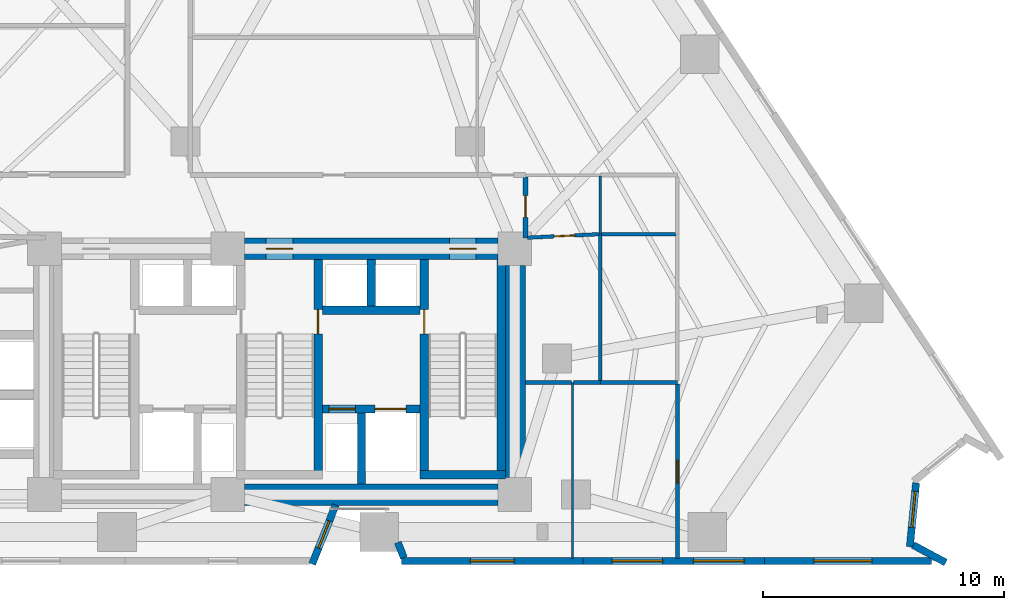
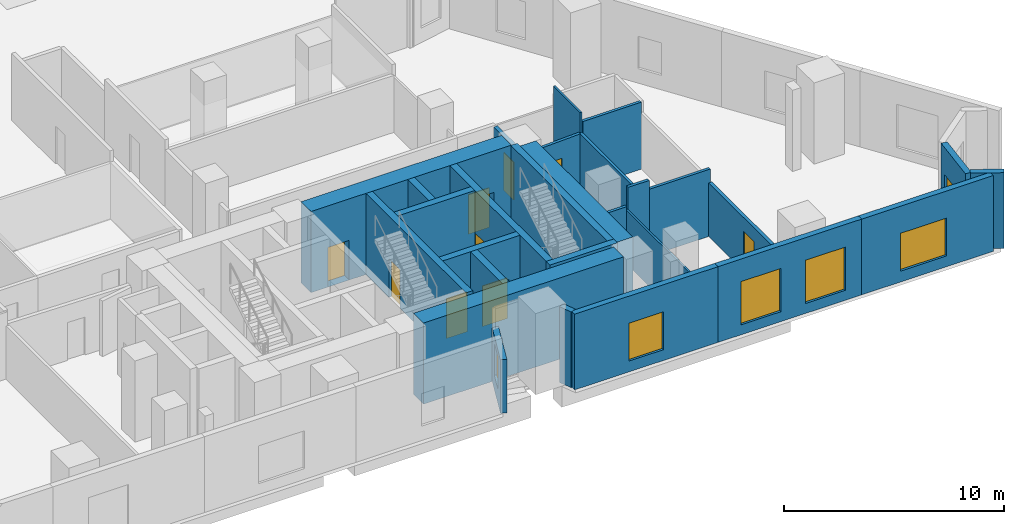
# One storey, part 8 of 12: 28 walls, 9 doors, 6 windows, 15 openings.
"""IFC4 building model written with IfcOpenShell, lengths in metres."""

from ifc_helpers import new_model, si_unit, direction, frame, frame_2d, origin, place, context, subcontext, project, spatial, rectangle, extrude, material, layer, layer_set, type_object, element, fill, save


model = new_model("IFC4")

# Units and contexts
model_context = context("Model", 3, precision=1e-05, world=origin(), true_north=direction((0.0, 1.0)))
body_context = subcontext(model_context, "Body", "Model", "MODEL_VIEW")
ifc_project = project(units=[si_unit("LENGTHUNIT", "METRE"), si_unit("AREAUNIT", "SQUARE_METRE"), si_unit("VOLUMEUNIT", "CUBIC_METRE"), si_unit("PLANEANGLEUNIT", "RADIAN"), si_unit("MASSUNIT", "GRAM", prefix="KILO")], contexts=[model_context])

# Site, building, storey
site_placement = place(None, origin())
site = spatial("IfcSite", under=ifc_project, at=site_placement, CompositionType="ELEMENT")
building_placement = place(site_placement, origin())
building = spatial("IfcBuilding", under=site, at=building_placement, Name="Almagre Mirador Tower", CompositionType="ELEMENT")
storey_placement = place(building_placement, frame((0.0, 0.0, 17.39990234375)))
storey = spatial("IfcBuildingStorey", under=building, at=storey_placement, Name="L03", CompositionType="ELEMENT", Elevation=17.39990234375)

# Wall, opening, window
ifc_material_1 = material(Name="Precast concrete C50/60", Category="concrete")
ifc_layer_1 = layer(ifc_material_1, 0.300048828125)
ifc_layer_set_1 = layer_set([ifc_layer_1], Name="Precast concrete C50/60")
wall_type_1 = type_object("IfcWallType", Name="WAL-EXT-300", PredefinedType="SOLIDWALL", material=ifc_layer_set_1)
wall_1_placement = place(storey_placement, frame((63.695068359375, 5.03369140625, 0.0), z_axis=(0.0, 0.0, 1.0), x_axis=(-0.096121744624, -0.995369584732, 0.0)))
wall_1 = element("IfcWall", 1, at=wall_1_placement, inside=storey, type_object=wall_type_1, Name="L03 expressed almagre precast frame wall 19", PredefinedType="SOLIDWALL", context=body_context, shape_type="SweptSolid", body=[
    extrude(rectangle(XDim=2.6591796875, YDim=0.300048828125, at=frame_2d((1.32958984375, 0.0))), origin(), (0.0, 0.0, 1.0), 4.2001953125),
])
opening_1_placement = place(wall_1_placement, frame((0.35498046875, 0.0, 0.60009765625)))
opening_1 = element("IfcOpeningElement", 2, at=opening_1_placement, cuts=wall_1, Name="Opening WN-03", PredefinedType="OPENING", context=body_context, shape_type="SweptSolid", body=[
    extrude(rectangle(XDim=1.5, YDim=2.10009765625, at=frame_2d((0.75, 1.050048828125))), frame((0.0, 0.159902, 0.0), z_axis=(0.0, -1.0, 0.0), x_axis=(1.0, 0.0, 0.0)), (0.0, 0.0, 1.0), 0.320049),
])
ifc_material_2 = material(Name="Dark solar-control laminated hurricane glass", Category="glass")
window_type_1 = type_object("IfcWindowType", Name="WIN-1500X2100", PartitioningType="DOUBLE_PANEL_VERTICAL", PredefinedType="WINDOW", material=ifc_material_2)
window_1_placement = place(opening_1_placement, origin())
window_1 = element("IfcWindow", 3, at=window_1_placement, inside=storey, type_object=window_type_1, Name="L03 recessed hurricane window L03-TRT-5", OverallHeight=2.10009765625, OverallWidth=1.5, PartitioningType="SINGLE_PANEL", PredefinedType="WINDOW", context=body_context, shape_type="SweptSolid", body=[
    extrude(rectangle(XDim=1.5, YDim=2.10009765625, at=frame_2d((0.75, 1.050048828125))), frame((0.0, 0.030029296875, 0.0), z_axis=(0.0, -1.0, 0.0), x_axis=(1.0, 0.0, 0.0)), (0.0, 0.0, 1.0), 0.06005859375),
])
fill(opening_1, window_1)

# Wall
wall_2_placement = place(storey_placement, frame((63.576416015625, 2.459716796875, 0.0), z_axis=(0.0, 0.0, 1.0), x_axis=(0.88021477324, -0.474575550329, 0.0)))
element("IfcWall", 4, at=wall_2_placement, inside=storey, type_object=wall_type_1, Name="L03 expressed almagre precast frame wall 20", PredefinedType="SOLIDWALL", context=body_context, shape_type="SweptSolid", body=[
    extrude(rectangle(XDim=1.530029296875, YDim=0.300048828125, at=frame_2d((0.76513671875, 0.0))), origin(), (0.0, 0.0, 1.0), 4.2001953125),
])

# Wall, opening, window
wall_3_placement = place(storey_placement, frame((64.324951171875, 1.800048828125, 0.0), z_axis=(0.0, 0.0, 1.0), x_axis=(-1.0, 0.0, 0.0)))
wall_3 = element("IfcWall", 5, at=wall_3_placement, inside=storey, type_object=wall_type_1, Name="L03 expressed almagre precast frame wall 21", PredefinedType="SOLIDWALL", context=body_context, shape_type="SweptSolid", body=[
    extrude(rectangle(XDim=6.908935546875, YDim=0.300048828125, at=frame_2d((3.45458984375, 0.0))), origin(), (0.0, 0.0, 1.0), 4.2001953125),
])
opening_2_placement = place(wall_3_placement, frame((2.4599609375, 0.0, 0.60009765625)))
opening_2 = element("IfcOpeningElement", 6, at=opening_2_placement, cuts=wall_3, Name="Opening WN-02", PredefinedType="OPENING", context=body_context, shape_type="SweptSolid", body=[
    extrude(rectangle(XDim=2.39990234375, YDim=2.10009765625, at=frame_2d((1.199951171875, 1.050048828125))), frame((0.0, 0.159902, 0.0), z_axis=(0.0, -1.0, 0.0), x_axis=(1.0, 0.0, 0.0)), (0.0, 0.0, 1.0), 0.320049),
])
ifc_material_3 = material(Name="Dark solar-control laminated hurricane glass", Category="glass")
window_type_2 = type_object("IfcWindowType", Name="WIN-2400X2100", PartitioningType="TRIPLE_PANEL_VERTICAL", PredefinedType="WINDOW", material=ifc_material_3)
window_2_placement = place(opening_2_placement, origin())
window_2 = element("IfcWindow", 7, at=window_2_placement, inside=storey, type_object=window_type_2, Name="L03 recessed hurricane window L03-TRT-5", OverallHeight=2.10009765625, OverallWidth=2.39990234375, PartitioningType="SINGLE_PANEL", PredefinedType="WINDOW", context=body_context, shape_type="SweptSolid", body=[
    extrude(rectangle(XDim=2.39990234375, YDim=2.10009765625, at=frame_2d((1.199951171875, 1.050048828125))), frame((0.0, 0.030029296875, 0.0), z_axis=(0.0, -1.0, 0.0), x_axis=(1.0, 0.0, 0.0)), (0.0, 0.0, 1.0), 0.06005859375),
])
fill(opening_2, window_2)

# Wall, openings, windows
wall_4_placement = place(storey_placement, frame((57.416015625, 1.800048828125, 0.0), z_axis=(0.0, 0.0, 1.0), x_axis=(-1.0, 0.0, 0.0)))
wall_4 = element("IfcWall", 8, at=wall_4_placement, inside=storey, type_object=wall_type_1, Name="L03 expressed almagre precast frame wall 22", PredefinedType="SOLIDWALL", context=body_context, shape_type="SweptSolid", body=[
    extrude(rectangle(XDim=7.52392578125, YDim=0.300048828125, at=frame_2d((3.761962890625, 0.0))), origin(), (0.0, 0.0, 1.0), 4.2001953125),
])
opening_3_placement = place(wall_4_placement, frame((4.22509765625, 0.0, 0.550048828125)))
opening_3 = element("IfcOpeningElement", 9, at=opening_3_placement, cuts=wall_4, Name="Opening WN-05", PredefinedType="OPENING", context=body_context, shape_type="SweptSolid", body=[
    extrude(rectangle(XDim=2.10009765625, YDim=2.39990234375, at=frame_2d((1.050048828125, 1.199951171875))), frame((0.0, 0.159902, 0.0), z_axis=(0.0, -1.0, 0.0), x_axis=(1.0, 0.0, 0.0)), (0.0, 0.0, 1.0), 0.320049),
])
opening_4_placement = place(wall_4_placement, frame((0.85009765625, 0.0, 0.550048828125)))
opening_4 = element("IfcOpeningElement", 10, at=opening_4_placement, cuts=wall_4, Name="Opening WN-05", PredefinedType="OPENING", context=body_context, shape_type="SweptSolid", body=[
    extrude(rectangle(XDim=2.10009765625, YDim=2.39990234375, at=frame_2d((1.050048828125, 1.199951171875))), frame((0.0, 0.159902, 0.0), z_axis=(0.0, -1.0, 0.0), x_axis=(1.0, 0.0, 0.0)), (0.0, 0.0, 1.0), 0.320049),
])
ifc_material_4 = material(Name="Dark solar-control laminated hurricane glass", Category="glass")
window_type_3 = type_object("IfcWindowType", Name="WIN-2100X2400", PartitioningType="DOUBLE_PANEL_VERTICAL", PredefinedType="WINDOW", material=ifc_material_4)
window_3_placement = place(opening_3_placement, origin())
window_3 = element("IfcWindow", 11, at=window_3_placement, inside=storey, type_object=window_type_3, Name="L03 recessed hurricane window L03-HYD-2", OverallHeight=2.39990234375, OverallWidth=2.10009765625, PartitioningType="SINGLE_PANEL", PredefinedType="WINDOW", context=body_context, shape_type="SweptSolid", body=[
    extrude(rectangle(XDim=2.10009765625, YDim=2.39990234375, at=frame_2d((1.050048828125, 1.199951171875))), frame((0.0, 0.030029296875, 0.0), z_axis=(0.0, -1.0, 0.0), x_axis=(1.0, 0.0, 0.0)), (0.0, 0.0, 1.0), 0.06005859375),
])
fill(opening_3, window_3)
window_4_placement = place(opening_4_placement, origin())
window_4 = element("IfcWindow", 12, at=window_4_placement, inside=storey, type_object=window_type_3, Name="L03 recessed hurricane window L03-TRT-5", OverallHeight=2.39990234375, OverallWidth=2.10009765625, PartitioningType="SINGLE_PANEL", PredefinedType="WINDOW", context=body_context, shape_type="SweptSolid", body=[
    extrude(rectangle(XDim=2.10009765625, YDim=2.39990234375, at=frame_2d((1.050048828125, 1.199951171875))), frame((0.0, 0.030029296875, 0.0), z_axis=(0.0, -1.0, 0.0), x_axis=(1.0, 0.0, 0.0)), (0.0, 0.0, 1.0), 0.06005859375),
])
fill(opening_4, window_4)

# Wall, opening, window
wall_5_placement = place(storey_placement, frame((49.89208984375, 1.800048828125, 0.0), z_axis=(0.0, 0.0, 1.0), x_axis=(-1.0, 0.0, 0.0)))
wall_5 = element("IfcWall", 13, at=wall_5_placement, inside=storey, type_object=wall_type_1, Name="L03 expressed almagre precast frame wall 23", PredefinedType="SOLIDWALL", context=body_context, shape_type="SweptSolid", body=[
    extrude(rectangle(XDim=7.524169921875, YDim=0.300048828125, at=frame_2d((3.76220703125, 0.0))), origin(), (0.0, 0.0, 1.0), 4.2001953125),
])
opening_5_placement = place(wall_5_placement, frame((2.875, 0.0, 0.60009765625)))
opening_5 = element("IfcOpeningElement", 14, at=opening_5_placement, cuts=wall_5, Name="Opening WN-01", PredefinedType="OPENING", context=body_context, shape_type="SweptSolid", body=[
    extrude(rectangle(XDim=1.800048828125, YDim=2.10009765625, at=frame_2d((0.89990234375, 1.050048828125))), frame((0.0, 0.159902, 0.0), z_axis=(0.0, -1.0, 0.0), x_axis=(1.0, 0.0, 0.0)), (0.0, 0.0, 1.0), 0.320049),
])
ifc_material_5 = material(Name="Dark solar-control laminated hurricane glass", Category="glass")
window_type_4 = type_object("IfcWindowType", Name="WIN-1800X2100", PartitioningType="DOUBLE_PANEL_VERTICAL", PredefinedType="WINDOW", material=ifc_material_5)
window_5_placement = place(opening_5_placement, origin())
window_5 = element("IfcWindow", 15, at=window_5_placement, inside=storey, type_object=window_type_4, Name="L03 recessed hurricane window L03-POOL-1", OverallHeight=2.10009765625, OverallWidth=1.800048828125, PartitioningType="SINGLE_PANEL", PredefinedType="WINDOW", context=body_context, shape_type="SweptSolid", body=[
    extrude(rectangle(XDim=1.800048828125, YDim=2.10009765625, at=frame_2d((0.89990234375, 1.050048828125))), frame((0.0, 0.030029296875, 0.0), z_axis=(0.0, -1.0, 0.0), x_axis=(1.0, 0.0, 0.0)), (0.0, 0.0, 1.0), 0.06005859375),
])
fill(opening_5, window_5)

# Wall
wall_6_placement = place(storey_placement, frame((42.456298828125, 1.93017578125, 0.0), z_axis=(0.0, 0.0, 1.0), x_axis=(-0.369677329341, 0.929160197259, 0.0)))
element("IfcWall", 16, at=wall_6_placement, inside=storey, type_object=wall_type_1, Name="L03 expressed almagre precast frame wall 24", PredefinedType="SOLIDWALL", context=body_context, shape_type="SweptSolid", body=[
    extrude(rectangle(XDim=0.688232421875, YDim=0.300048828125, at=frame_2d((0.34423828125, 0.0))), origin(), (0.0, 0.0, 1.0), 4.2001953125),
])

# Wall, opening, window
wall_7_placement = place(storey_placement, frame((39.63232421875, 4.124755859375, 0.0), z_axis=(0.0, 0.0, 1.0), x_axis=(-0.369477840539, -0.929239541426, 0.0)))
wall_7 = element("IfcWall", 17, at=wall_7_placement, inside=storey, type_object=wall_type_1, Name="L03 expressed almagre precast frame wall 25", PredefinedType="SOLIDWALL", context=body_context, shape_type="SweptSolid", body=[
    extrude(rectangle(XDim=2.641845703125, YDim=0.300048828125, at=frame_2d((1.32080078125, 0.0))), origin(), (0.0, 0.0, 1.0), 2.97509765625),
])
opening_6_placement = place(wall_7_placement, frame((0.722900390625, 0.0, 0.800048828125)))
opening_6 = element("IfcOpeningElement", 18, at=opening_6_placement, cuts=wall_7, Name="Opening WN-04", PredefinedType="OPENING", context=body_context, shape_type="SweptSolid", body=[
    extrude(rectangle(XDim=1.199951171875, YDim=1.800048828125, at=frame_2d((0.60009765625, 0.89990234375))), frame((0.0, 0.159902, 0.0), z_axis=(0.0, -1.0, 0.0), x_axis=(1.0, 0.0, 0.0)), (0.0, 0.0, 1.0), 0.320049),
])
ifc_material_6 = material(Name="Dark solar-control laminated hurricane glass", Category="glass")
window_type_5 = type_object("IfcWindowType", Name="WIN-1200X1800", PartitioningType="SINGLE_PANEL", PredefinedType="WINDOW", material=ifc_material_6)
window_6_placement = place(opening_6_placement, origin())
window_6 = element("IfcWindow", 19, at=window_6_placement, inside=storey, type_object=window_type_5, Name="L03 recessed hurricane window L03-PIL-3", OverallHeight=1.800048828125, OverallWidth=1.199951171875, PartitioningType="SINGLE_PANEL", PredefinedType="WINDOW", context=body_context, shape_type="SweptSolid", body=[
    extrude(rectangle(XDim=1.199951171875, YDim=1.800048828125, at=frame_2d((0.60009765625, 0.89990234375))), frame((0.0, 0.030029296875, 0.0), z_axis=(0.0, -1.0, 0.0), x_axis=(1.0, 0.0, 0.0)), (0.0, 0.0, 1.0), 0.06005859375),
])
fill(opening_6, window_6)

# Walls
ifc_material_7 = material(Name="Gypsum acoustic stud partition", Category="other")
ifc_layer_2 = layer(ifc_material_7, 0.10009765625)
ifc_layer_set_2 = layer_set([ifc_layer_2], Name="Gypsum acoustic stud partition")
wall_type_2 = type_object("IfcWallType", Name="WAL-PRT-100-CLS", PredefinedType="PARTITIONING", material=ifc_layer_set_2)
wall_8_placement = place(storey_placement, frame((49.449951171875, 1.89990234375, 0.0), z_axis=(0.0, 0.0, 1.0), x_axis=(0.0, 1.0, 0.0)))
element("IfcWall", 20, at=wall_8_placement, inside=storey, type_object=wall_type_2, Name="L03 interior partition 014", PredefinedType="PARTITIONING", context=body_context, shape_type="SweptSolid", body=[
    extrude(rectangle(XDim=7.300048828125, YDim=0.10009765625, at=frame_2d((3.64990234375, 0.0))), origin(), (0.0, 0.0, 1.0), 2.97021484375),
])
wall_9_placement = place(storey_placement, frame((50.60009765625, 15.35009765625, 0.0), z_axis=(0.0, 0.0, 1.0), x_axis=(0.0, 1.0, 0.0)))
element("IfcWall", 21, at=wall_9_placement, inside=storey, type_object=wall_type_2, Name="L03 interior partition 035", PredefinedType="PARTITIONING", context=body_context, shape_type="SweptSolid", body=[
    extrude(rectangle(XDim=2.414794921875, YDim=0.10009765625, at=frame_2d((1.20751953125, 0.0))), origin(), (0.0, 0.0, 1.0), 4.2001953125),
])
ifc_material_8 = material(Name="Gypsum acoustic stud partition", Category="other")
ifc_layer_3 = layer(ifc_material_8, 0.14990234375)
ifc_layer_set_3 = layer_set([ifc_layer_3], Name="Gypsum acoustic stud partition")
wall_type_3 = type_object("IfcWallType", Name="WAL-PRT-150-STD", PredefinedType="PARTITIONING", material=ifc_layer_set_3)
wall_10_placement = place(storey_placement, frame((49.4150390625, 9.199951171875, 0.0), z_axis=(0.0, 0.0, 1.0), x_axis=(-1.0, 0.0, 0.0)))
element("IfcWall", 22, at=wall_10_placement, inside=storey, type_object=wall_type_3, Name="L03 interior partition 015", PredefinedType="PARTITIONING", context=body_context, shape_type="SweptSolid", body=[
    extrude(rectangle(XDim=1.9150390625, YDim=0.14990234375, at=frame_2d((0.95751953125, 0.0))), origin(), (0.0, 0.0, 1.0), 3.1591796875),
])
wall_11_placement = place(storey_placement, frame((50.60009765625, 9.199951171875, 0.0), z_axis=(0.0, 0.0, 1.0), x_axis=(-1.0, 0.0, 0.0)))
element("IfcWall", 23, at=wall_11_placement, inside=storey, type_object=wall_type_3, Name="L03 interior partition 016", PredefinedType="PARTITIONING", context=body_context, shape_type="SweptSolid", body=[
    extrude(rectangle(XDim=1.114990234375, YDim=0.14990234375, at=frame_2d((0.5576171875, 0.0))), origin(), (0.0, 0.0, 1.0), 4.2001953125),
])
wall_12_placement = place(storey_placement, frame((53.800048828125, 9.199951171875, 0.0), z_axis=(0.0, 0.0, 1.0), x_axis=(-1.0, 0.0, 0.0)))
element("IfcWall", 24, at=wall_12_placement, inside=storey, type_object=wall_type_3, Name="L03 interior partition 017", PredefinedType="PARTITIONING", context=body_context, shape_type="SweptSolid", body=[
    extrude(rectangle(XDim=3.199951171875, YDim=0.14990234375, at=frame_2d((1.60009765625, 0.0))), origin(), (0.0, 0.0, 1.0), 3.710205078125),
])
wall_13_placement = place(storey_placement, frame((50.60009765625, 9.260009765625, 0.0), z_axis=(0.0, 0.0, 1.0), x_axis=(0.0, 1.0, 0.0)))
element("IfcWall", 25, at=wall_13_placement, inside=storey, type_object=wall_type_3, Name="L03 interior partition 025", PredefinedType="PARTITIONING", context=body_context, shape_type="SweptSolid", body=[
    extrude(rectangle(XDim=6.090087890625, YDim=0.14990234375, at=frame_2d((3.044921875, 0.0))), origin(), (0.0, 0.0, 1.0), 3.078125),
])

# Wall, opening, door
wall_14_placement = place(storey_placement, frame((50.5400390625, 15.34716796875, 0.0), z_axis=(0.0, 0.0, 1.0), x_axis=(-0.998830110694, -0.048357108796, 0.0)))
wall_14 = element("IfcWall", 26, at=wall_14_placement, inside=storey, type_object=wall_type_3, Name="L03 interior partition 026", PredefinedType="PARTITIONING", context=body_context, shape_type="SweptSolid", body=[
    extrude(rectangle(XDim=2.95849609375, YDim=0.14990234375, at=frame_2d((1.479248046875, 0.0))), origin(), (0.0, 0.0, 1.0), 3.078125),
])
opening_7_placement = place(wall_14_placement, frame((1.0087890625, 0.0, 0.0)))
opening_7 = element("IfcOpeningElement", 27, at=opening_7_placement, cuts=wall_14, Name="Opening UD-04", PredefinedType="OPENING", context=body_context, shape_type="SweptSolid", body=[
    extrude(rectangle(XDim=0.85009765625, YDim=2.10009765625, at=frame_2d((0.425048828125, 1.050048828125))), frame((0.0, 0.084951, 0.0), z_axis=(0.0, -1.0, 0.0), x_axis=(1.0, 0.0, 0.0)), (0.0, 0.0, 1.0), 0.169902),
])
ifc_material_9 = material(Name="Moisture-resistant oak timber", Category="wood")
door_type_1 = type_object("IfcDoorType", Name="DOR-UNR-850X2100", OperationType="NOTDEFINED", PredefinedType="DOOR", material=ifc_material_9)
door_1_placement = place(opening_7_placement, origin())
door_1 = element("IfcDoor", 28, at=door_1_placement, inside=storey, type_object=door_type_1, Name="DR-0132 L03 interior door L03-WC-A to L03-POOL-7", OperationType="SINGLE_SWING_RIGHT", OverallHeight=2.10009765625, OverallWidth=0.85009765625, PredefinedType="DOOR", context=body_context, shape_type="SweptSolid", body=[
    extrude(rectangle(XDim=0.85009765625, YDim=2.10009765625, at=frame_2d((0.425048828125, 1.050048828125))), frame((0.0, 0.02490234375, 0.0), z_axis=(0.0, -1.0, 0.0), x_axis=(1.0, 0.0, 0.0)), (0.0, 0.0, 1.0), 0.050048828125),
])
fill(opening_7, door_1)

# Wall
wall_15_placement = place(storey_placement, frame((53.739990234375, 15.35009765625, 0.0), z_axis=(0.0, 0.0, 1.0), x_axis=(-1.0, 0.0, 0.0)))
element("IfcWall", 29, at=wall_15_placement, inside=storey, type_object=wall_type_3, Name="L03 interior partition 028", PredefinedType="PARTITIONING", context=body_context, shape_type="SweptSolid", body=[
    extrude(rectangle(XDim=3.080078125, YDim=0.14990234375, at=frame_2d((1.5400390625, 0.0))), origin(), (0.0, 0.0, 1.0), 3.710205078125),
])

# Wall, opening, door
ifc_material_10 = material(Name="Gypsum acoustic stud partition", Category="other")
ifc_layer_4 = layer(ifc_material_10, 0.175048828125)
ifc_layer_set_4 = layer_set([ifc_layer_4], Name="Gypsum acoustic stud partition")
wall_type_4 = type_object("IfcWallType", Name="WAL-PRT-175-AC", PredefinedType="PARTITIONING", material=ifc_layer_set_4)
wall_16_placement = place(storey_placement, frame((53.800048828125, 1.89990234375, 0.0), z_axis=(0.0, 0.0, 1.0), x_axis=(0.0, 1.0, 0.0)))
wall_16 = element("IfcWall", 30, at=wall_16_placement, inside=storey, type_object=wall_type_4, Name="L03 interior partition 018", PredefinedType="PARTITIONING", context=body_context, shape_type="SweptSolid", body=[
    extrude(rectangle(XDim=7.239990234375, YDim=0.175048828125, at=frame_2d((3.6201171875, 0.0))), origin(), (0.0, 0.0, 1.0), 2.97021484375),
])
opening_8_placement = place(wall_16_placement, frame((3.125, 0.0, 0.0)))
opening_8 = element("IfcOpeningElement", 31, at=opening_8_placement, cuts=wall_16, Name="Opening UD-01", PredefinedType="OPENING", context=body_context, shape_type="SweptSolid", body=[
    extrude(rectangle(XDim=0.949951171875, YDim=2.199951171875, at=frame_2d((0.47509765625, 1.10009765625))), frame((0.0, 0.097402, 0.0), z_axis=(0.0, -1.0, 0.0), x_axis=(1.0, 0.0, 0.0)), (0.0, 0.0, 1.0), 0.195049),
])
ifc_material_11 = material(Name="Solid American walnut timber", Category="wood")
door_type_2 = type_object("IfcDoorType", Name="DOR-UNR-950X2200", OperationType="NOTDEFINED", PredefinedType="DOOR", material=ifc_material_11)
door_2_placement = place(opening_8_placement, origin())
door_2 = element("IfcDoor", 32, at=door_2_placement, inside=storey, type_object=door_type_2, Name="DR-0131 L03 interior door L03-HYD-2 to L03-TRT-5", OperationType="SINGLE_SWING_RIGHT", OverallHeight=2.199951171875, OverallWidth=0.949951171875, PredefinedType="DOOR", context=body_context, shape_type="SweptSolid", body=[
    extrude(rectangle(XDim=0.949951171875, YDim=2.199951171875, at=frame_2d((0.47509765625, 1.10009765625))), frame((0.0, 0.02490234375, 0.0), z_axis=(0.0, -1.0, 0.0), x_axis=(1.0, 0.0, 0.0)), (0.0, 0.0, 1.0), 0.050048828125),
])
fill(opening_8, door_2)

ifc_material_12 = material(Name="Gypsum acoustic stud partition", Category="other")
ifc_layer_5 = layer(ifc_material_12, 0.199951171875)
ifc_layer_set_5 = layer_set([ifc_layer_5], Name="Gypsum acoustic stud partition")
wall_type_5 = type_object("IfcWallType", Name="WAL-PRT-200-EI60", PredefinedType="PARTITIONING", material=ifc_layer_set_5)
wall_17_placement = place(storey_placement, frame((47.5, 15.199951171875, 0.0), z_axis=(0.0, 0.0, 1.0), x_axis=(0.0, 1.0, 0.0)))
wall_17 = element("IfcWall", 33, at=wall_17_placement, inside=storey, type_object=wall_type_5, Name="L03 interior partition 005", PredefinedType="PARTITIONING", context=body_context, shape_type="SweptSolid", body=[
    extrude(rectangle(XDim=2.51513671875, YDim=0.199951171875, at=frame_2d((1.257568359375, 0.0))), origin(), (0.0, 0.0, 1.0), 3.078125),
])
opening_9_placement = place(wall_17_placement, frame((0.85009765625, 0.0, 0.0)))
opening_9 = element("IfcOpeningElement", 34, at=opening_9_placement, cuts=wall_17, Name="Opening ID-03", PredefinedType="OPENING", context=body_context, shape_type="SweptSolid", body=[
    extrude(rectangle(XDim=0.89990234375, YDim=2.10009765625, at=frame_2d((0.449951171875, 1.050048828125))), frame((0.0, 0.110098, 0.0), z_axis=(0.0, -1.0, 0.0), x_axis=(1.0, 0.0, 0.0)), (0.0, 0.0, 1.0), 0.219951),
])
ifc_material_13 = material(Name="Fire-rated hollow steel", Category="steel")
door_type_3 = type_object("IfcDoorType", Name="DOR-FD60-900X2100", OperationType="NOTDEFINED", PredefinedType="DOOR", material=ifc_material_13)
door_3_placement = place(opening_9_placement, origin())
door_3 = element("IfcDoor", 35, at=door_3_placement, inside=storey, type_object=door_type_3, Name="DR-0128 L03 interior door L03-COR to L03-POOL-7", OperationType="SINGLE_SWING_LEFT", OverallHeight=2.10009765625, OverallWidth=0.89990234375, PredefinedType="DOOR", context=body_context, shape_type="SweptSolid", body=[
    extrude(rectangle(XDim=0.89990234375, YDim=2.10009765625, at=frame_2d((0.449951171875, 1.050048828125))), frame((0.0, 0.02490234375, 0.0), z_axis=(0.0, -1.0, 0.0), x_axis=(1.0, 0.0, 0.0)), (0.0, 0.0, 1.0), 0.050048828125),
])
fill(opening_9, door_3)

ifc_material_14 = material(Name="Concrete C60/75", Category="concrete")
ifc_layer_6 = layer(ifc_material_14, 0.35009765625)
ifc_layer_set_6 = layer_set([ifc_layer_6], Name="Concrete C60/75")
wall_type_6 = type_object("IfcWallType", Name="WAL-SHF-350", PredefinedType="SOLIDWALL", material=ifc_layer_set_6)
wall_18_placement = place(storey_placement, frame((38.89990234375, 5.199951171875, 0.0), z_axis=(0.0, 0.0, 1.0), x_axis=(0.0, 1.0, 0.0)))
wall_18 = element("IfcWall", 36, at=wall_18_placement, inside=storey, type_object=wall_type_6, Name="L03 shaft wall ST2-E", PredefinedType="SOLIDWALL", context=body_context, shape_type="SweptSolid", body=[
    extrude(rectangle(XDim=9.10009765625, YDim=0.35009765625, at=frame_2d((4.550048828125, 0.0))), origin(), (0.0, 0.0, 1.0), 4.5),
])
opening_10_placement = place(wall_18_placement, frame((6.02001953125, 0.0, 0.0)))
opening_10 = element("IfcOpeningElement", 37, at=opening_10_placement, cuts=wall_18, Name="Opening FD-01", PredefinedType="OPENING", context=body_context, shape_type="SweptSolid", body=[
    extrude(rectangle(XDim=1.0, YDim=2.14990234375, at=frame_2d((0.5, 1.074951171875))), frame((0.0, 0.185049, 0.0), z_axis=(0.0, -1.0, 0.0), x_axis=(1.0, 0.0, 0.0)), (0.0, 0.0, 1.0), 0.370098),
])
ifc_material_15 = material(Name="Fire-rated hollow steel", Category="steel")
door_type_4 = type_object("IfcDoorType", Name="DOR-FFL-1000X2150", OperationType="NOTDEFINED", PredefinedType="DOOR", material=ifc_material_15)
door_4_placement = place(opening_10_placement, origin())
door_4 = element("IfcDoor", 38, at=door_4_placement, inside=storey, type_object=door_type_4, Name="DR-0120 L03 FFL2-ST2 smokeproof door", OperationType="SINGLE_SWING_RIGHT", OverallHeight=2.14990234375, OverallWidth=1.0, PredefinedType="DOOR", context=body_context, shape_type="SweptSolid", body=[
    extrude(rectangle(XDim=1.0, YDim=2.14990234375, at=frame_2d((0.5, 1.074951171875))), frame((0.0, 0.02490234375, 0.0), z_axis=(0.0, -1.0, 0.0), x_axis=(1.0, 0.0, 0.0)), (0.0, 0.0, 1.0), 0.050048828125),
])
fill(opening_10, door_4)

wall_19_placement = place(storey_placement, frame((43.300048828125, 5.199951171875, 0.0), z_axis=(0.0, 0.0, 1.0), x_axis=(0.0, 1.0, 0.0)))
wall_19 = element("IfcWall", 39, at=wall_19_placement, inside=storey, type_object=wall_type_6, Name="L03 shaft wall ST3-W", PredefinedType="SOLIDWALL", context=body_context, shape_type="SweptSolid", body=[
    extrude(rectangle(XDim=9.10009765625, YDim=0.35009765625, at=frame_2d((4.550048828125, 0.0))), origin(), (0.0, 0.0, 1.0), 4.5),
])
opening_11_placement = place(wall_19_placement, frame((6.02001953125, 0.0, 0.0)))
opening_11 = element("IfcOpeningElement", 40, at=opening_11_placement, cuts=wall_19, Name="Opening FD-01", PredefinedType="OPENING", context=body_context, shape_type="SweptSolid", body=[
    extrude(rectangle(XDim=1.0, YDim=2.14990234375, at=frame_2d((0.5, 1.074951171875))), frame((0.0, 0.185049, 0.0), z_axis=(0.0, -1.0, 0.0), x_axis=(1.0, 0.0, 0.0)), (0.0, 0.0, 1.0), 0.370098),
])
door_5_placement = place(opening_11_placement, origin())
door_5 = element("IfcDoor", 41, at=door_5_placement, inside=storey, type_object=door_type_4, Name="DR-0121 L03 FFL2-ST3 smokeproof door", OperationType="SINGLE_SWING_LEFT", OverallHeight=2.14990234375, OverallWidth=1.0, PredefinedType="DOOR", context=body_context, shape_type="SweptSolid", body=[
    extrude(rectangle(XDim=1.0, YDim=2.14990234375, at=frame_2d((0.5, 1.074951171875))), frame((0.0, 0.02490234375, 0.0), z_axis=(0.0, -1.0, 0.0), x_axis=(1.0, 0.0, 0.0)), (0.0, 0.0, 1.0), 0.050048828125),
])
fill(opening_11, door_5)

# Walls
wall_20_placement = place(storey_placement, frame((46.5, 5.199951171875, 0.0), z_axis=(0.0, 0.0, 1.0), x_axis=(0.0, 1.0, 0.0)))
element("IfcWall", 42, at=wall_20_placement, inside=storey, type_object=wall_type_6, Name="L03 shaft wall ST3-E", PredefinedType="SOLIDWALL", context=body_context, shape_type="SweptSolid", body=[
    extrude(rectangle(XDim=9.10009765625, YDim=0.35009765625, at=frame_2d((4.550048828125, 0.0))), origin(), (0.0, 0.0, 1.0), 4.5),
])
wall_21_placement = place(storey_placement, frame((43.125, 5.375, 0.0), z_axis=(0.0, 0.0, 1.0), x_axis=(1.0, 0.0, 0.0)))
element("IfcWall", 43, at=wall_21_placement, inside=storey, type_object=wall_type_6, Name="L03 shaft wall ST3-S", PredefinedType="SOLIDWALL", context=body_context, shape_type="SweptSolid", body=[
    extrude(rectangle(XDim=3.550048828125, YDim=0.35009765625, at=frame_2d((1.77490234375, 0.0))), origin(), (0.0, 0.0, 1.0), 4.5),
])

# Wall, openings, doors
wall_22_placement = place(storey_placement, frame((39.074951171875, 8.10009765625, 0.0), z_axis=(0.0, 0.0, 1.0), x_axis=(1.0, 0.0, 0.0)))
wall_22 = element("IfcWall", 44, at=wall_22_placement, inside=storey, type_object=wall_type_6, Name="L03 shaft wall FSAE2-N", PredefinedType="SOLIDWALL", context=body_context, shape_type="SweptSolid", body=[
    extrude(rectangle(XDim=4.050048828125, YDim=0.35009765625, at=frame_2d((2.02490234375, 0.0))), origin(), (0.0, 0.0, 1.0), 4.5),
])
opening_12_placement = place(wall_22_placement, frame((2.175048828125, 0.0, 0.0)))
opening_12 = element("IfcOpeningElement", 45, at=opening_12_placement, cuts=wall_22, Name="Opening LD-03", PredefinedType="OPENING", context=body_context, shape_type="SweptSolid", body=[
    extrude(rectangle(XDim=1.300048828125, YDim=2.25, at=frame_2d((0.64990234375, 1.125))), frame((0.0, 0.185049, 0.0), z_axis=(0.0, -1.0, 0.0), x_axis=(1.0, 0.0, 0.0)), (0.0, 0.0, 1.0), 0.370098),
])
opening_13_placement = place(wall_22_placement, frame((0.27490234375, 0.0, 0.0)))
opening_13 = element("IfcOpeningElement", 46, at=opening_13_placement, cuts=wall_22, Name="Opening LD-01", PredefinedType="OPENING", context=body_context, shape_type="SweptSolid", body=[
    extrude(rectangle(XDim=1.10009765625, YDim=2.199951171875, at=frame_2d((0.550048828125, 1.10009765625))), frame((0.0, 0.185049, 0.0), z_axis=(0.0, -1.0, 0.0), x_axis=(1.0, 0.0, 0.0)), (0.0, 0.0, 1.0), 0.370098),
])
ifc_material_16 = material(Name="Hollow stainless steel", Category="steel")
door_type_5 = type_object("IfcDoorType", Name="DOR-LD-1100X2200", OperationType="DOUBLE_DOOR_SLIDING", PredefinedType="DOOR", material=ifc_material_16)
door_6_placement = place(opening_13_placement, origin())
door_6 = element("IfcDoor", 47, at=door_6_placement, inside=storey, type_object=door_type_5, Name="DR-0136 L03 PL-L2 lift landing door", OperationType="DOUBLE_DOOR_SLIDING", OverallHeight=2.199951171875, OverallWidth=1.10009765625, PredefinedType="DOOR", context=body_context, shape_type="SweptSolid", body=[
    extrude(rectangle(XDim=1.10009765625, YDim=2.199951171875, at=frame_2d((0.550048828125, 1.10009765625))), frame((0.0, 0.02490234375, 0.0), z_axis=(0.0, -1.0, 0.0), x_axis=(1.0, 0.0, 0.0)), (0.0, 0.0, 1.0), 0.050048828125),
])
fill(opening_13, door_6)
ifc_material_17 = material(Name="Hollow stainless steel", Category="steel")
door_type_6 = type_object("IfcDoorType", Name="DOR-LD-1300X2250", OperationType="DOUBLE_DOOR_SLIDING", PredefinedType="DOOR", material=ifc_material_17)
door_7_placement = place(opening_12_placement, origin())
door_7 = element("IfcDoor", 48, at=door_7_placement, inside=storey, type_object=door_type_6, Name="DR-0134 L03 FSAE-2 lift landing door", OperationType="DOUBLE_DOOR_SLIDING", OverallHeight=2.25, OverallWidth=1.300048828125, PredefinedType="DOOR", context=body_context, shape_type="SweptSolid", body=[
    extrude(rectangle(XDim=1.300048828125, YDim=2.25, at=frame_2d((0.64990234375, 1.125))), frame((0.0, 0.02490234375, 0.0), z_axis=(0.0, -1.0, 0.0), x_axis=(1.0, 0.0, 0.0)), (0.0, 0.0, 1.0), 0.050048828125),
])
fill(opening_12, door_7)

# Walls
wall_23_placement = place(storey_placement, frame((40.699951171875, 5.0, 0.0), z_axis=(0.0, 0.0, 1.0), x_axis=(0.0, 1.0, 0.0)))
element("IfcWall", 49, at=wall_23_placement, inside=storey, type_object=wall_type_6, Name="L03 shaft wall FSAE2-W", PredefinedType="SOLIDWALL", context=body_context, shape_type="SweptSolid", body=[
    extrude(rectangle(XDim=2.925048828125, YDim=0.35009765625, at=frame_2d((1.46240234375, 0.0))), origin(), (0.0, 0.0, 1.0), 4.5),
])
wall_24_placement = place(storey_placement, frame((39.074951171875, 12.199951171875, 0.0), z_axis=(0.0, 0.0, 1.0), x_axis=(1.0, 0.0, 0.0)))
element("IfcWall", 50, at=wall_24_placement, inside=storey, type_object=wall_type_6, Name="L03 shaft wall PLH-S", PredefinedType="SOLIDWALL", context=body_context, shape_type="SweptSolid", body=[
    extrude(rectangle(XDim=4.050048828125, YDim=0.35009765625, at=frame_2d((2.02490234375, 0.0))), origin(), (0.0, 0.0, 1.0), 4.5),
])
wall_25_placement = place(storey_placement, frame((41.10009765625, 12.375, 0.0), z_axis=(0.0, 0.0, 1.0), x_axis=(0.0, 1.0, 0.0)))
element("IfcWall", 51, at=wall_25_placement, inside=storey, type_object=wall_type_6, Name="L03 shaft wall PLH-M", PredefinedType="SOLIDWALL", context=body_context, shape_type="SweptSolid", body=[
    extrude(rectangle(XDim=1.925048828125, YDim=0.35009765625, at=frame_2d((0.96240234375, 0.0))), origin(), (0.0, 0.0, 1.0), 4.5),
])
ifc_material_18 = material(Name="Concrete C70/85", Category="concrete")
ifc_layer_7 = layer(ifc_material_18, 0.89990234375)
ifc_layer_set_7 = layer_set([ifc_layer_7], Name="Concrete C70/85")
wall_type_7 = type_object("IfcWallType", Name="WAL-SHR-900", PredefinedType="SHEAR", material=ifc_layer_set_7)
wall_26_placement = place(storey_placement, frame((35.85009765625, 4.550048828125, 0.0), z_axis=(0.0, 0.0, 1.0), x_axis=(1.0, 0.0, 0.0)))
element("IfcWall", 52, at=wall_26_placement, inside=storey, type_object=wall_type_7, Name="L03 core shear wall S2", PredefinedType="SHEAR", context=body_context, shape_type="SweptSolid", body=[
    extrude(rectangle(XDim=10.5, YDim=0.89990234375, at=frame_2d((5.25, 0.0))), origin(), (0.0, 0.0, 1.0), 4.5),
])

# Wall, openings, doors
wall_27_placement = place(storey_placement, frame((35.85009765625, 14.75, 0.0), z_axis=(0.0, 0.0, 1.0), x_axis=(1.0, 0.0, 0.0)))
wall_27 = element("IfcWall", 53, at=wall_27_placement, inside=storey, type_object=wall_type_7, Name="L03 core shear wall N2", PredefinedType="SHEAR", context=body_context, shape_type="SweptSolid", body=[
    extrude(rectangle(XDim=10.5, YDim=0.89990234375, at=frame_2d((5.25, 0.0))), origin(), (0.0, 0.0, 1.0), 4.5),
])
opening_14_placement = place(wall_27_placement, frame((0.89990234375, 0.0, 0.0)))
opening_14 = element("IfcOpeningElement", 54, at=opening_14_placement, cuts=wall_27, Name="Opening SD-02", PredefinedType="OPENING", context=body_context, shape_type="SweptSolid", body=[
    extrude(rectangle(XDim=1.10009765625, YDim=2.199951171875, at=frame_2d((0.550048828125, 1.10009765625))), frame((0.0, 0.459951, 0.0), z_axis=(0.0, -1.0, 0.0), x_axis=(1.0, 0.0, 0.0)), (0.0, 0.0, 1.0), 0.919902),
])
opening_15_placement = place(wall_27_placement, frame((8.5, 0.0, 0.0)))
opening_15 = element("IfcOpeningElement", 55, at=opening_15_placement, cuts=wall_27, Name="Opening SD-02", PredefinedType="OPENING", context=body_context, shape_type="SweptSolid", body=[
    extrude(rectangle(XDim=1.10009765625, YDim=2.199951171875, at=frame_2d((0.550048828125, 1.10009765625))), frame((0.0, 0.459951, 0.0), z_axis=(0.0, -1.0, 0.0), x_axis=(1.0, 0.0, 0.0)), (0.0, 0.0, 1.0), 0.919902),
])
ifc_material_19 = material(Name="Fire-rated hollow steel", Category="steel")
door_type_7 = type_object("IfcDoorType", Name="DOR-ST-1100X2200", OperationType="NOTDEFINED", PredefinedType="DOOR", material=ifc_material_19)
door_8_placement = place(opening_14_placement, origin())
door_8 = element("IfcDoor", 56, at=door_8_placement, inside=storey, type_object=door_type_7, Name="DR-0138 L03 protected exit stair ST-2 door", OperationType="SINGLE_SWING_RIGHT", OverallHeight=2.199951171875, OverallWidth=1.10009765625, PredefinedType="DOOR", context=body_context, shape_type="SweptSolid", body=[
    extrude(rectangle(XDim=1.10009765625, YDim=2.199951171875, at=frame_2d((0.550048828125, 1.10009765625))), frame((0.0, 0.02490234375, 0.0), z_axis=(0.0, -1.0, 0.0), x_axis=(1.0, 0.0, 0.0)), (0.0, 0.0, 1.0), 0.050048828125),
])
fill(opening_14, door_8)
door_9_placement = place(opening_15_placement, origin())
door_9 = element("IfcDoor", 57, at=door_9_placement, inside=storey, type_object=door_type_7, Name="DR-0139 L03 protected exit stair ST-3 door", OperationType="SINGLE_SWING_LEFT", OverallHeight=2.199951171875, OverallWidth=1.10009765625, PredefinedType="DOOR", context=body_context, shape_type="SweptSolid", body=[
    extrude(rectangle(XDim=1.10009765625, YDim=2.199951171875, at=frame_2d((0.550048828125, 1.10009765625))), frame((0.0, 0.02490234375, 0.0), z_axis=(0.0, -1.0, 0.0), x_axis=(1.0, 0.0, 0.0)), (0.0, 0.0, 1.0), 0.050048828125),
])
fill(opening_15, door_9)

# Wall
wall_28_placement = place(storey_placement, frame((47.050048828125, 5.25, 0.0), z_axis=(0.0, 0.0, 1.0), x_axis=(0.0, 1.0, 0.0)))
element("IfcWall", 58, at=wall_28_placement, inside=storey, type_object=wall_type_7, Name="L03 core shear wall E1", PredefinedType="SHEAR", context=body_context, shape_type="SweptSolid", body=[
    extrude(rectangle(XDim=8.800048828125, YDim=0.89990234375, at=frame_2d((4.39990234375, 0.0))), origin(), (0.0, 0.0, 1.0), 4.5),
])

save(model, "model.ifc")
